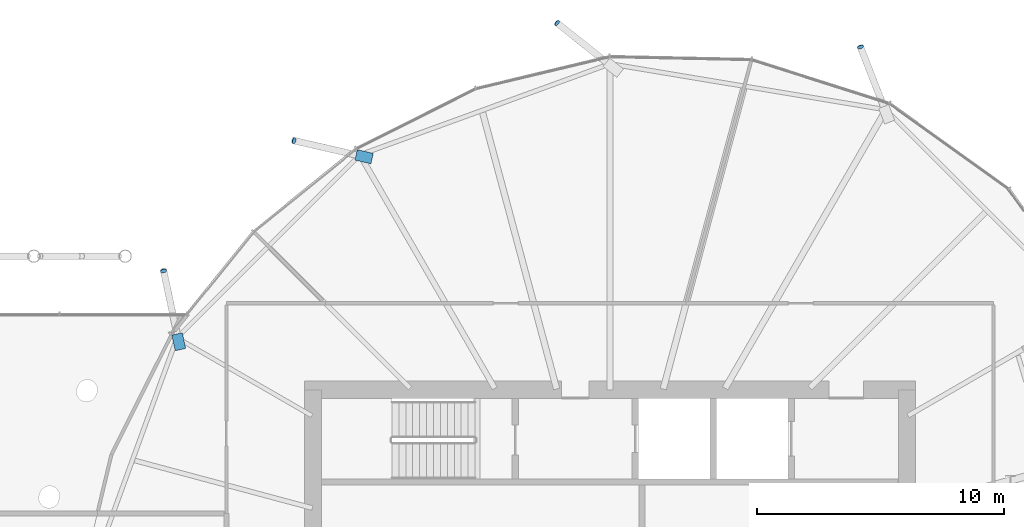
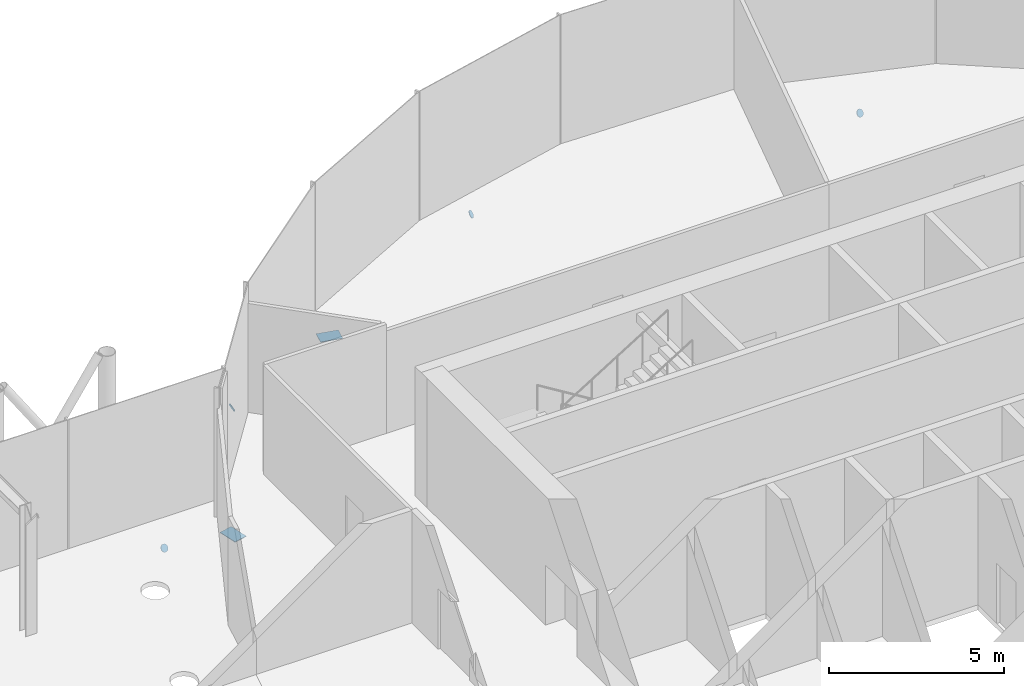
# One storey, part 33 of 36: 6 discrete accessories.
"""IFC4 building model written with IfcOpenShell, lengths in metres."""

from ifc_helpers import new_model, si_unit, direction, frame, origin, origin_2d, place, context, subcontext, project, spatial, polyline, rectangle, circle, outline, extrude, material, material_profile, profile_set, type_object, element, save


model = new_model("IFC4")

# Units and contexts
model_context = context("Model", 3, precision=1e-05, world=origin(), true_north=direction((0.0, 1.0)))
body_context = subcontext(model_context, "Body", "Model", "MODEL_VIEW")
ifc_project = project(units=[si_unit("LENGTHUNIT", "METRE"), si_unit("AREAUNIT", "SQUARE_METRE"), si_unit("VOLUMEUNIT", "CUBIC_METRE"), si_unit("PLANEANGLEUNIT", "RADIAN"), si_unit("MASSUNIT", "GRAM", prefix="KILO")], contexts=[model_context])

# Site, building, storey
site_placement = place(None, origin())
site = spatial("IfcSite", under=ifc_project, at=site_placement, CompositionType="ELEMENT")
building_placement = place(site_placement, origin())
building = spatial("IfcBuilding", under=site, at=building_placement, Name="Rimbun Link Towers", CompositionType="ELEMENT")
storey_placement = place(building_placement, frame((0.0, 0.0, 154.39990234375)))
storey = spatial("IfcBuildingStorey", under=building, at=storey_placement, Name="L37", CompositionType="ELEMENT", Elevation=154.39990234375)

# Discrete accessories
ifc_material_1 = material(Name="Steel S355J2H", Category="steel")
ifc_material_profile_1 = material_profile(ifc_material_1, circle(Radius=0.1240234375, at=origin_2d()), Name="PL D248")
ifc_profile_set_1 = profile_set([ifc_material_profile_1], Name="Steel S355J2H")
discrete_accessory_type_1 = type_object("IfcDiscreteAccessoryType", Name="Link foot sealing plate D248X20", PredefinedType="BRACKET", material=ifc_profile_set_1)
for number, where, z_axis, x_axis, name in (
    (1, (41.875, 21.85302734375, -2.72412109375), (-0.303482100304, 0.78905346079, -0.534128496535), (-0.933345606203, -0.358979079309, 0.0), "Link foot sealing plate T2 L37 01"),
    (2, (29.617919921875, 22.819580078125, -2.540283203125), (-0.681458875301, 0.535431973451, -0.498925247988), (-0.617821551932, -0.786318338822, 0.0), "Link foot sealing plate T2 L37 03"),
    (3, (18.991455078125, 18.06787109375, -2.675048828125), (-0.819698361218, 0.19574886238, -0.538309371546), (-0.232274682056, -0.972650231109, 0.0), "Link foot sealing plate T2 L37 05"),
    (4, (13.717041015625, 12.80322265625, -2.541015625), (-0.182035617742, 0.800956718064, -0.570378268924), (-0.975132855791, -0.221621103589, 0.0), "Link foot sealing plate T2 L37 07"),
):
    element("IfcDiscreteAccessory", number, at=place(storey_placement, frame(where, z_axis=z_axis, x_axis=x_axis)), inside=storey, type_object=discrete_accessory_type_1, Name=name, PredefinedType="BRACKET", context=body_context, shape_type="SweptSolid", body=[
        extrude(circle(Radius=0.1240234375, at=origin_2d()), origin(), (0.0, 0.0, 1.0), 0.02001953125),
    ])
ifc_material_2 = material(Name="Steel S355J2H", Category="steel")
ifc_material_profile_2 = material_profile(ifc_material_2, rectangle(XDim=0.43310546875, YDim=0.43310546875, at=origin_2d()), Name="PL 433x433")
ifc_profile_set_2 = profile_set([ifc_material_profile_2], Name="Steel S355J2H")
discrete_accessory_type_2 = type_object("IfcDiscreteAccessoryType", Name="Link head end plate 433X20", PredefinedType="BRACKET", material=ifc_profile_set_2)
discrete_accessory_1_placement = place(storey_placement, frame((0.0, 0.0, -0.802490234375)))
element("IfcDiscreteAccessory", 5, at=discrete_accessory_1_placement, inside=storey, type_object=discrete_accessory_type_2, Name="Link head end plate T2 L37 05", PredefinedType="BRACKET", context=body_context, shape_type="SweptSolid", body=[
    extrude(outline(polyline([(22.1884765625, 17.55615234375), (21.542236328125, 17.70458984375), (21.4453125, 17.282470703125), (22.091796875, 17.134033203125), (22.1884765625, 17.55615234375)])), origin(), (0.0, 0.0, 1.0), 0.02001953125),
])
discrete_accessory_2_placement = place(storey_placement, frame((0.0, 0.0, -0.554931640625)))
element("IfcDiscreteAccessory", 6, at=discrete_accessory_2_placement, inside=storey, type_object=discrete_accessory_type_2, Name="Link head end plate T2 L37 07", PredefinedType="BRACKET", context=body_context, shape_type="SweptSolid", body=[
    extrude(outline(polyline([(14.60546875, 9.671142578125), (14.470947265625, 10.302978515625), (14.04736328125, 10.212890625), (14.181884765625, 9.580810546875), (14.60546875, 9.671142578125)])), origin(), (0.0, 0.0, 1.0), 0.02001953125),
])

save(model, "model.ifc")
